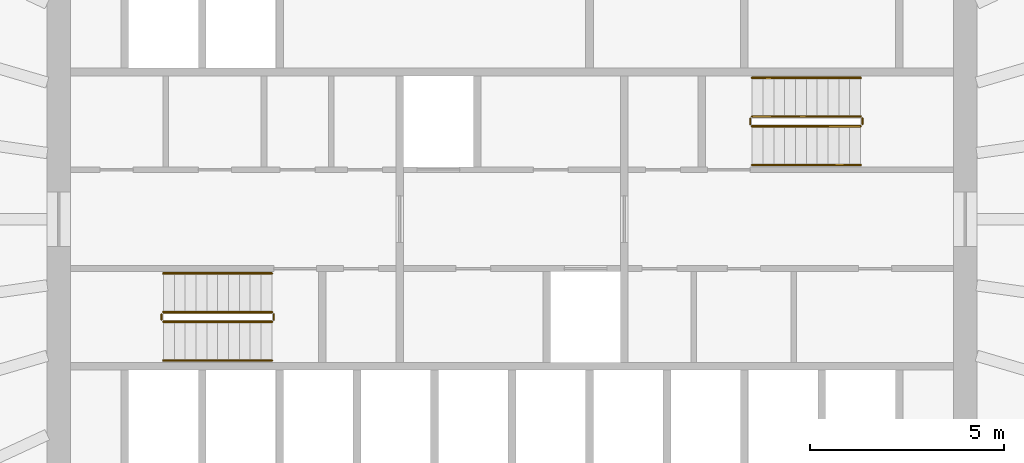
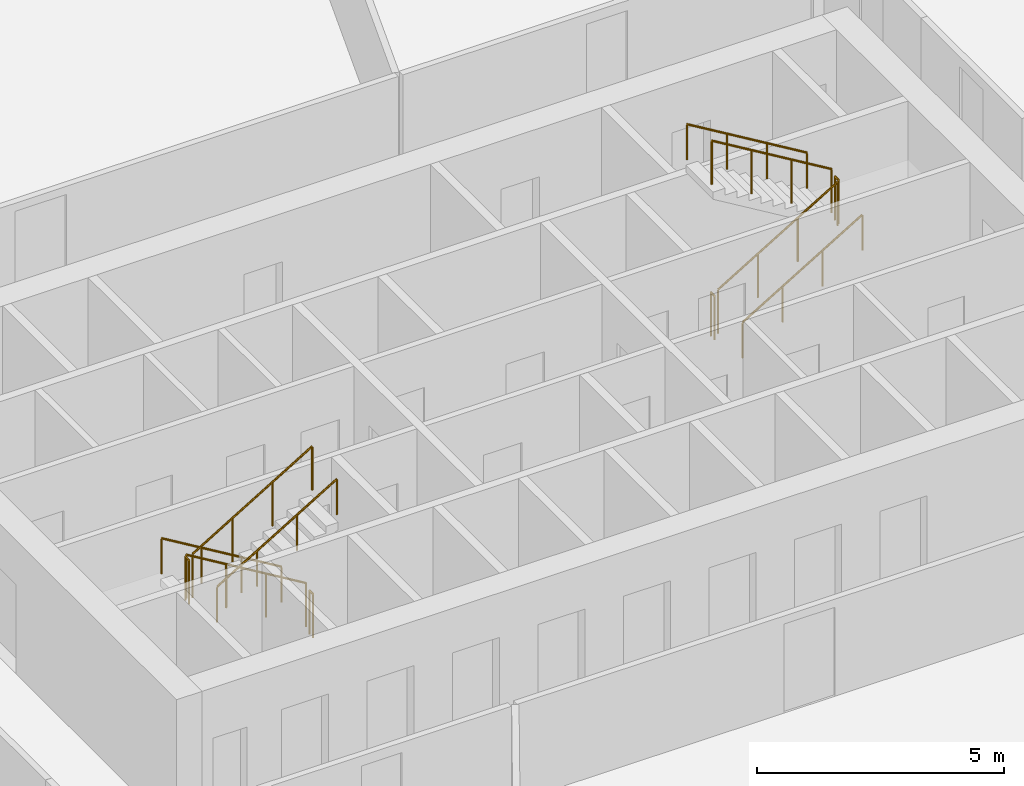
# One storey, part 11 of 11: 12 railings.
"""IFC4 building model written with IfcOpenShell, lengths in metres."""

from ifc_helpers import new_model, si_unit, direction, frame, origin, origin_2d, place, context, subcontext, project, spatial, circle, extrude, material, type_object, element, save


model = new_model("IFC4")

# Units and contexts
model_context = context("Model", 3, precision=1e-05, world=origin(), true_north=direction((0.0, 1.0)))
body_context = subcontext(model_context, "Body", "Model", "MODEL_VIEW")
ifc_project = project(units=[si_unit("LENGTHUNIT", "METRE"), si_unit("AREAUNIT", "SQUARE_METRE"), si_unit("VOLUMEUNIT", "CUBIC_METRE"), si_unit("PLANEANGLEUNIT", "RADIAN"), si_unit("MASSUNIT", "GRAM", prefix="KILO")], contexts=[model_context])

# Site, building, storey
site_placement = place(None, origin())
site = spatial("IfcSite", under=ifc_project, at=site_placement, CompositionType="ELEMENT")
building_placement = place(site_placement, origin())
building = spatial("IfcBuilding", under=site, at=building_placement, Name="Siaravel Broadcast Tower", CompositionType="ELEMENT")
storey_placement = place(building_placement, frame((0.0, 0.0, 63.0)))
storey = spatial("IfcBuildingStorey", under=building, at=storey_placement, Name="L14", CompositionType="ELEMENT", Elevation=63.0)

# Railings
ifc_material = material(Name="Stainless steel 316L", Category="steel")
railing_type_1 = type_object("IfcRailingType", Name="Stair guard 1100", PredefinedType="GUARDRAIL", material=ifc_material)
railing_1_placement = place(storey_placement, frame((-6.199951171875, -2.39990234375, 0.168212890625)))
element("IfcRailing", 1, at=railing_1_placement, inside=storey, type_object=railing_type_1, Name="L14 ST-1 stair guard 1", PredefinedType="GUARDRAIL", context=body_context, shape_type="SweptSolid", body=[
    extrude(circle(Radius=0.02392578125, at=origin_2d()), frame((0.0, 0.0, 1.076171875), z_axis=(-0.857242211, 0.0, 0.514913383), x_axis=(0.0, -1.0, 0.0)), (0.0, 0.0, 1.0), 3.266357421875),
    extrude(circle(Radius=0.02099609375, at=origin_2d()), origin(), (0.0, 0.0, 1.0), 1.052001953125),
    extrude(circle(Radius=0.02099609375, at=origin_2d()), frame((-0.933349609375, 0.0, 0.560546875)), (0.0, 0.0, 1.0), 1.052001953125),
    extrude(circle(Radius=0.02099609375, at=origin_2d()), frame((-1.86669921875, 0.0, 1.121337890625)), (0.0, 0.0, 1.0), 1.052001953125),
    extrude(circle(Radius=0.02099609375, at=origin_2d()), frame((-2.800048828125, 0.0, 1.681884765625)), (0.0, 0.0, 1.0), 1.052001953125),
])
railing_2_placement = place(storey_placement, frame((-9.050048828125, -2.449951171875, 1.85009765625)))
element("IfcRailing", 2, at=railing_2_placement, inside=storey, type_object=railing_type_1, Name="L14 ST-1 stair guard 2", PredefinedType="GUARDRAIL", context=body_context, shape_type="SweptSolid", body=[
    extrude(circle(Radius=0.02392578125, at=origin_2d()), frame((0.0, 0.0, 1.076171875), z_axis=(0.0, -1.0, 0.0), x_axis=(1.0, 0.0, 0.0)), (0.0, 0.0, 1.0), 0.150146484375),
    extrude(circle(Radius=0.02099609375, at=origin_2d()), origin(), (0.0, 0.0, 1.0), 1.052001953125),
    extrude(circle(Radius=0.02099609375, at=origin_2d()), frame((0.0, -0.150146484375, 0.0)), (0.0, 0.0, 1.0), 1.052001953125),
])
railing_3_placement = place(storey_placement, frame((-9.0, -2.64990234375, 2.01806640625)))
element("IfcRailing", 3, at=railing_3_placement, inside=storey, type_object=railing_type_1, Name="L14 ST-1 stair guard 3", PredefinedType="GUARDRAIL", context=body_context, shape_type="SweptSolid", body=[
    extrude(circle(Radius=0.02392578125, at=origin_2d()), frame((0.0, 0.0, 1.076171875), z_axis=(0.857242211, 0.0, 0.514913383), x_axis=(0.0, 1.0, 0.0)), (0.0, 0.0, 1.0), 3.266357421875),
    extrude(circle(Radius=0.02099609375, at=origin_2d()), origin(), (0.0, 0.0, 1.0), 1.052001953125),
    extrude(circle(Radius=0.02099609375, at=origin_2d()), frame((0.933349609375, 0.0, 0.560546875)), (0.0, 0.0, 1.0), 1.052001953125),
    extrude(circle(Radius=0.02099609375, at=origin_2d()), frame((1.86669921875, 0.0, 1.121337890625)), (0.0, 0.0, 1.0), 1.052001953125),
    extrude(circle(Radius=0.02099609375, at=origin_2d()), frame((2.800048828125, 0.0, 1.681884765625)), (0.0, 0.0, 1.0), 1.052001953125),
])
railing_4_placement = place(storey_placement, frame((-6.14990234375, -2.449951171875, 0.0)))
element("IfcRailing", 4, at=railing_4_placement, inside=storey, type_object=railing_type_1, Name="L14 ST-1 stair guard 4", PredefinedType="GUARDRAIL", context=body_context, shape_type="SweptSolid", body=[
    extrude(circle(Radius=0.02392578125, at=origin_2d()), frame((0.0, 0.0, 1.076171875), z_axis=(0.0, -1.0, 0.0), x_axis=(1.0, 0.0, 0.0)), (0.0, 0.0, 1.0), 0.150146484375),
    extrude(circle(Radius=0.02099609375, at=origin_2d()), origin(), (0.0, 0.0, 1.0), 1.052001953125),
    extrude(circle(Radius=0.02099609375, at=origin_2d()), frame((0.0, -0.150146484375, 0.0)), (0.0, 0.0, 1.0), 1.052001953125),
])
railing_5_placement = place(storey_placement, frame((6.199951171875, 2.39990234375, 0.168212890625)))
element("IfcRailing", 5, at=railing_5_placement, inside=storey, type_object=railing_type_1, Name="L14 ST-2 stair guard 1", PredefinedType="GUARDRAIL", context=body_context, shape_type="SweptSolid", body=[
    extrude(circle(Radius=0.02392578125, at=origin_2d()), frame((0.0, 0.0, 1.076171875), z_axis=(0.857242211, 0.0, 0.514913383), x_axis=(0.0, 1.0, 0.0)), (0.0, 0.0, 1.0), 3.266357421875),
    extrude(circle(Radius=0.02099609375, at=origin_2d()), origin(), (0.0, 0.0, 1.0), 1.052001953125),
    extrude(circle(Radius=0.02099609375, at=origin_2d()), frame((0.933349609375, 0.0, 0.560546875)), (0.0, 0.0, 1.0), 1.052001953125),
    extrude(circle(Radius=0.02099609375, at=origin_2d()), frame((1.86669921875, 0.0, 1.121337890625)), (0.0, 0.0, 1.0), 1.052001953125),
    extrude(circle(Radius=0.02099609375, at=origin_2d()), frame((2.800048828125, 0.0, 1.681884765625)), (0.0, 0.0, 1.0), 1.052001953125),
])
railing_6_placement = place(storey_placement, frame((9.050048828125, 2.449951171875, 1.85009765625)))
element("IfcRailing", 6, at=railing_6_placement, inside=storey, type_object=railing_type_1, Name="L14 ST-2 stair guard 2", PredefinedType="GUARDRAIL", context=body_context, shape_type="SweptSolid", body=[
    extrude(circle(Radius=0.02392578125, at=origin_2d()), frame((0.0, 0.0, 1.076171875), z_axis=(0.0, 1.0, 0.0), x_axis=(-1.0, 0.0, 0.0)), (0.0, 0.0, 1.0), 0.150146484375),
    extrude(circle(Radius=0.02099609375, at=origin_2d()), origin(), (0.0, 0.0, 1.0), 1.052001953125),
    extrude(circle(Radius=0.02099609375, at=origin_2d()), frame((0.0, 0.150146484375, 0.0)), (0.0, 0.0, 1.0), 1.052001953125),
])
railing_7_placement = place(storey_placement, frame((9.0, 2.64990234375, 2.01806640625)))
element("IfcRailing", 7, at=railing_7_placement, inside=storey, type_object=railing_type_1, Name="L14 ST-2 stair guard 3", PredefinedType="GUARDRAIL", context=body_context, shape_type="SweptSolid", body=[
    extrude(circle(Radius=0.02392578125, at=origin_2d()), frame((0.0, 0.0, 1.076171875), z_axis=(-0.857242211, 0.0, 0.514913383), x_axis=(0.0, -1.0, 0.0)), (0.0, 0.0, 1.0), 3.266357421875),
    extrude(circle(Radius=0.02099609375, at=origin_2d()), origin(), (0.0, 0.0, 1.0), 1.052001953125),
    extrude(circle(Radius=0.02099609375, at=origin_2d()), frame((-0.933349609375, 0.0, 0.560546875)), (0.0, 0.0, 1.0), 1.052001953125),
    extrude(circle(Radius=0.02099609375, at=origin_2d()), frame((-1.86669921875, 0.0, 1.121337890625)), (0.0, 0.0, 1.0), 1.052001953125),
    extrude(circle(Radius=0.02099609375, at=origin_2d()), frame((-2.800048828125, 0.0, 1.681884765625)), (0.0, 0.0, 1.0), 1.052001953125),
])
railing_8_placement = place(storey_placement, frame((6.14990234375, 2.449951171875, 0.0)))
element("IfcRailing", 8, at=railing_8_placement, inside=storey, type_object=railing_type_1, Name="L14 ST-2 stair guard 4", PredefinedType="GUARDRAIL", context=body_context, shape_type="SweptSolid", body=[
    extrude(circle(Radius=0.02392578125, at=origin_2d()), frame((0.0, 0.0, 1.076171875), z_axis=(0.0, 1.0, 0.0), x_axis=(-1.0, 0.0, 0.0)), (0.0, 0.0, 1.0), 0.150146484375),
    extrude(circle(Radius=0.02099609375, at=origin_2d()), origin(), (0.0, 0.0, 1.0), 1.052001953125),
    extrude(circle(Radius=0.02099609375, at=origin_2d()), frame((0.0, 0.150146484375, 0.0)), (0.0, 0.0, 1.0), 1.052001953125),
])
railing_type_2 = type_object("IfcRailingType", Name="Stair handrail 900", PredefinedType="HANDRAIL", material=ifc_material)
railing_9_placement = place(storey_placement, frame((-6.199951171875, -1.39990234375, 0.168212890625)))
element("IfcRailing", 9, at=railing_9_placement, inside=storey, type_object=railing_type_2, Name="L14 ST-1 stair handrail 1", PredefinedType="HANDRAIL", context=body_context, shape_type="SweptSolid", body=[
    extrude(circle(Radius=0.02392578125, at=origin_2d()), frame((0.0, 0.0, 0.8759765625), z_axis=(-0.857242211, 0.0, 0.514913383), x_axis=(0.0, -1.0, 0.0)), (0.0, 0.0, 1.0), 3.266357421875),
    extrude(circle(Radius=0.02099609375, at=origin_2d()), origin(), (0.0, 0.0, 1.0), 0.851806640625),
    extrude(circle(Radius=0.02099609375, at=origin_2d()), frame((-0.933349609375, 0.0, 0.560546875)), (0.0, 0.0, 1.0), 0.851806640625),
    extrude(circle(Radius=0.02099609375, at=origin_2d()), frame((-1.86669921875, 0.0, 1.121337890625)), (0.0, 0.0, 1.0), 0.851806640625),
    extrude(circle(Radius=0.02099609375, at=origin_2d()), frame((-2.800048828125, 0.0, 1.681884765625)), (0.0, 0.0, 1.0), 0.851806640625),
])
for number, where, name in (
    (10, (-9.0, -3.64990234375, 2.01806640625), "L14 ST-1 stair handrail 2"),
    (11, (6.199951171875, 1.39990234375, 0.168212890625), "L14 ST-2 stair handrail 1"),
):
    element("IfcRailing", number, at=place(storey_placement, frame(where)), inside=storey, type_object=railing_type_2, Name=name, PredefinedType="HANDRAIL", context=body_context, shape_type="SweptSolid", body=[
        extrude(circle(Radius=0.02392578125, at=origin_2d()), frame((0.0, 0.0, 0.8759765625), z_axis=(0.857242211, 0.0, 0.514913383), x_axis=(0.0, 1.0, 0.0)), (0.0, 0.0, 1.0), 3.266357421875),
        extrude(circle(Radius=0.02099609375, at=origin_2d()), origin(), (0.0, 0.0, 1.0), 0.851806640625),
        extrude(circle(Radius=0.02099609375, at=origin_2d()), frame((0.933349609375, 0.0, 0.560546875)), (0.0, 0.0, 1.0), 0.851806640625),
        extrude(circle(Radius=0.02099609375, at=origin_2d()), frame((1.86669921875, 0.0, 1.121337890625)), (0.0, 0.0, 1.0), 0.851806640625),
        extrude(circle(Radius=0.02099609375, at=origin_2d()), frame((2.800048828125, 0.0, 1.681884765625)), (0.0, 0.0, 1.0), 0.851806640625),
    ])
railing_10_placement = place(storey_placement, frame((9.0, 3.64990234375, 2.01806640625)))
element("IfcRailing", 12, at=railing_10_placement, inside=storey, type_object=railing_type_2, Name="L14 ST-2 stair handrail 2", PredefinedType="HANDRAIL", context=body_context, shape_type="SweptSolid", body=[
    extrude(circle(Radius=0.02392578125, at=origin_2d()), frame((0.0, 0.0, 0.8759765625), z_axis=(-0.857242211, 0.0, 0.514913383), x_axis=(0.0, -1.0, 0.0)), (0.0, 0.0, 1.0), 3.266357421875),
    extrude(circle(Radius=0.02099609375, at=origin_2d()), origin(), (0.0, 0.0, 1.0), 0.851806640625),
    extrude(circle(Radius=0.02099609375, at=origin_2d()), frame((-0.933349609375, 0.0, 0.560546875)), (0.0, 0.0, 1.0), 0.851806640625),
    extrude(circle(Radius=0.02099609375, at=origin_2d()), frame((-1.86669921875, 0.0, 1.121337890625)), (0.0, 0.0, 1.0), 0.851806640625),
    extrude(circle(Radius=0.02099609375, at=origin_2d()), frame((-2.800048828125, 0.0, 1.681884765625)), (0.0, 0.0, 1.0), 0.851806640625),
])

save(model, "model.ifc")
